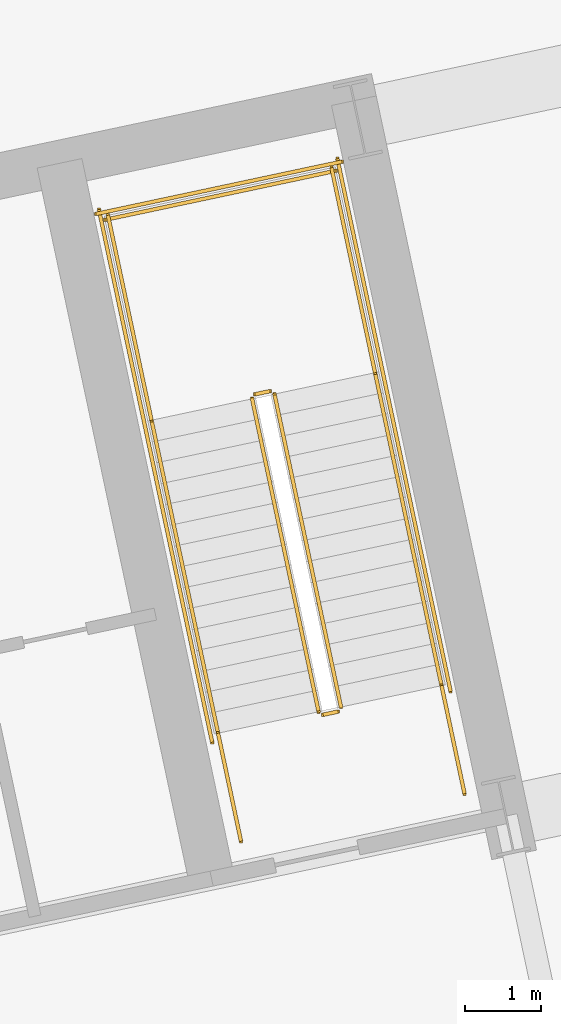
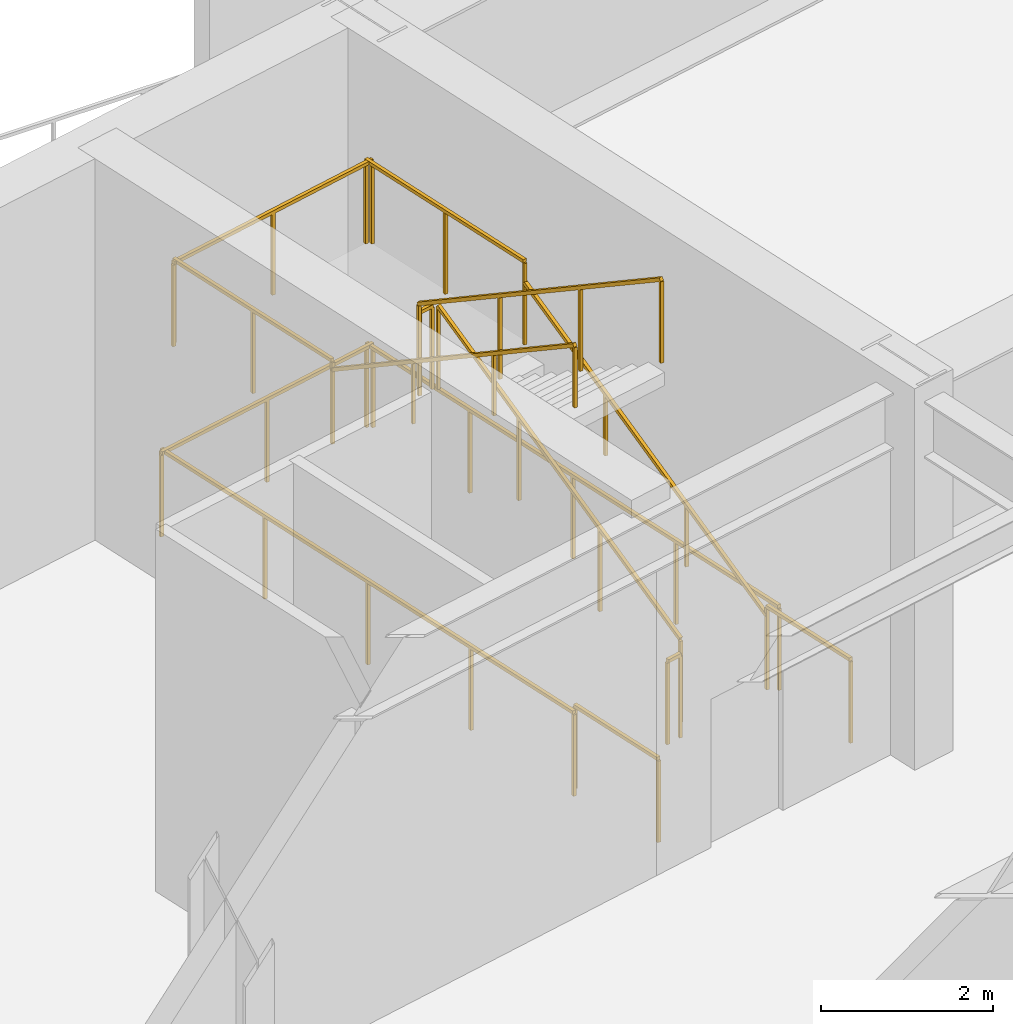
# One storey, part 28 of 29: 14 railings.
"""IFC4 building model written with IfcOpenShell, lengths in metres."""

from ifc_helpers import new_model, si_unit, direction, frame, origin, origin_2d, place, context, subcontext, project, spatial, rectangle, extrude, material, type_object, element, save


model = new_model("IFC4")

# Units and contexts
model_context = context("Model", 3, precision=1e-05, world=origin(), true_north=direction((0.0, 1.0)))
body_context = subcontext(model_context, "Body", "Model", "MODEL_VIEW")
ifc_project = project(units=[si_unit("LENGTHUNIT", "METRE"), si_unit("AREAUNIT", "SQUARE_METRE"), si_unit("VOLUMEUNIT", "CUBIC_METRE"), si_unit("PLANEANGLEUNIT", "RADIAN"), si_unit("MASSUNIT", "GRAM", prefix="KILO")], contexts=[model_context])

# Site, building, storey
site_placement = place(None, origin())
site = spatial("IfcSite", under=ifc_project, at=site_placement, CompositionType="ELEMENT")
building_placement = place(site_placement, origin())
building = spatial("IfcBuilding", under=site, at=building_placement, Name="Haevon Station Towers", CompositionType="ELEMENT")
storey_placement = place(building_placement, frame((0.0, 0.0, 25.199951171875)))
storey = spatial("IfcBuildingStorey", under=building, at=storey_placement, Name="L05", CompositionType="ELEMENT", Elevation=25.199951171875)

# Railings
ifc_material = material(Name="Steel S355", Category="steel")
railing_type_1 = type_object("IfcRailingType", Name="GRD-STR1200", PredefinedType="GUARDRAIL", material=ifc_material)
railing_1_placement = place(storey_placement, frame((117.128662109375, 43.23974609375, 0.168701171875)))
element("IfcRailing", 1, at=railing_1_placement, inside=storey, type_object=railing_type_1, Name="L05 ST4 Stair Guard 1", PredefinedType="GUARDRAIL", context=body_context, shape_type="SweptSolid", body=[
    extrude(rectangle(XDim=0.048095703125, YDim=0.048095703125, at=origin_2d()), frame((0.0, 0.0, 1.17578125), z_axis=(-0.1780862493, 0.837757147603, 0.516186254612), x_axis=(-0.978143927149, -0.207928972925, 0.0)), (0.0, 0.0, 1.0), 4.90380859375),
    extrude(rectangle(XDim=0.0419921875, YDim=0.0419921875, at=origin_2d()), origin(), (0.0, 0.0, 1.0), 1.15185546875),
    extrude(rectangle(XDim=0.0419921875, YDim=0.0419921875, at=origin_2d()), frame((-0.291015625, 1.369384765625, 0.84375)), (0.0, 0.0, 1.0), 1.15185546875),
    extrude(rectangle(XDim=0.0419921875, YDim=0.0419921875, at=origin_2d()), frame((-0.582275390625, 2.73876953125, 1.6875)), (0.0, 0.0, 1.0), 1.15185546875),
    extrude(rectangle(XDim=0.0419921875, YDim=0.0419921875, at=origin_2d()), frame((-0.873291015625, 4.108154296875, 2.53125)), (0.0, 0.0, 1.0), 1.15185546875),
])
railing_2_placement = place(storey_placement, frame((116.196044921875, 47.386474609375, 2.699951171875)))
element("IfcRailing", 2, at=railing_2_placement, inside=storey, type_object=railing_type_1, Name="L05 ST4 Stair Guard 2", PredefinedType="GUARDRAIL", context=body_context, shape_type="SweptSolid", body=[
    extrude(rectangle(XDim=0.048095703125, YDim=0.048095703125, at=origin_2d()), frame((0.0, 0.0, 1.17578125), z_axis=(-0.978211583308, -0.207610448392, 0.0), x_axis=(0.207610448392, -0.978211583308, 0.0)), (0.0, 0.0, 1.0), 0.199951171875),
    extrude(rectangle(XDim=0.0419921875, YDim=0.0419921875, at=origin_2d()), origin(), (0.0, 0.0, 1.0), 1.15185546875),
    extrude(rectangle(XDim=0.0419921875, YDim=0.0419921875, at=origin_2d()), frame((-0.195556640625, -0.04150390625, 0.0)), (0.0, 0.0, 1.0), 1.15185546875),
])
for number, where, name in (
    (3, (117.575927734375, 47.628662109375, 2.699951171875), "L05 ST4 Stair Guard 3"),
    (4, (114.641357421875, 47.0048828125, 2.699951171875), "L05 ST4 Stair Guard 4"),
):
    element("IfcRailing", number, at=place(storey_placement, frame(where)), inside=storey, type_object=railing_type_1, Name=name, PredefinedType="GUARDRAIL", context=body_context, shape_type="SweptSolid", body=[
        extrude(rectangle(XDim=0.048095703125, YDim=0.048095703125, at=origin_2d()), frame((0.0, 0.0, 1.17578125), z_axis=(-0.207916090984, 0.978146665439, 0.0), x_axis=(-0.978146665439, -0.207916090984, 0.0)), (0.0, 0.0, 1.0), 2.75),
        extrude(rectangle(XDim=0.0419921875, YDim=0.0419921875, at=origin_2d()), origin(), (0.0, 0.0, 1.0), 1.15185546875),
        extrude(rectangle(XDim=0.0419921875, YDim=0.0419921875, at=origin_2d()), frame((-0.285888671875, 1.344970703125, 0.0)), (0.0, 0.0, 1.0), 1.15185546875),
        extrude(rectangle(XDim=0.0419921875, YDim=0.0419921875, at=origin_2d()), frame((-0.57177734375, 2.68994140625, 0.0)), (0.0, 0.0, 1.0), 1.15185546875),
    ])
railing_3_placement = place(storey_placement, frame((117.0634765625, 50.280029296875, 2.699951171875)))
element("IfcRailing", 5, at=railing_3_placement, inside=storey, type_object=railing_type_1, Name="L05 ST4 Stair Guard 5", PredefinedType="GUARDRAIL", context=body_context, shape_type="SweptSolid", body=[
    extrude(rectangle(XDim=0.048095703125, YDim=0.048095703125, at=origin_2d()), frame((0.0, 0.0, 1.17578125), z_axis=(-0.978146839882, -0.207915270313, 0.0), x_axis=(0.207915270313, -0.978146839882, 0.0)), (0.0, 0.0, 1.0), 3.099853515625),
    extrude(rectangle(XDim=0.0419921875, YDim=0.0419921875, at=origin_2d()), origin(), (0.0, 0.0, 1.0), 1.15185546875),
    extrude(rectangle(XDim=0.0419921875, YDim=0.0419921875, at=origin_2d()), frame((-1.51611328125, -0.322265625, 0.0)), (0.0, 0.0, 1.0), 1.15185546875),
    extrude(rectangle(XDim=0.0419921875, YDim=0.0419921875, at=origin_2d()), frame((-3.0322265625, -0.64453125, 0.0)), (0.0, 0.0, 1.0), 1.15185546875),
])
railing_4_placement = place(storey_placement, frame((115.9619140625, 47.28564453125, 2.868896484375)))
element("IfcRailing", 6, at=railing_4_placement, inside=storey, type_object=railing_type_1, Name="L05 ST4 Stair Guard 6", PredefinedType="GUARDRAIL", context=body_context, shape_type="SweptSolid", body=[
    extrude(rectangle(XDim=0.048095703125, YDim=0.048095703125, at=origin_2d()), frame((0.0, 0.0, 1.17578125), z_axis=(0.178078821748, -0.83777199116, 0.516164725716), x_axis=(0.978146440129, 0.207917150959, 0.0)), (0.0, 0.0, 1.0), 4.904052734375),
    extrude(rectangle(XDim=0.0419921875, YDim=0.0419921875, at=origin_2d()), origin(), (0.0, 0.0, 1.0), 1.15185546875),
    extrude(rectangle(XDim=0.0419921875, YDim=0.0419921875, at=origin_2d()), frame((0.291015625, -1.369384765625, 0.84375)), (0.0, 0.0, 1.0), 1.15185546875),
    extrude(rectangle(XDim=0.0419921875, YDim=0.0419921875, at=origin_2d()), frame((0.582275390625, -2.739013671875, 1.6875)), (0.0, 0.0, 1.0), 1.15185546875),
    extrude(rectangle(XDim=0.0419921875, YDim=0.0419921875, at=origin_2d()), frame((0.873291015625, -4.1083984375, 2.53125)), (0.0, 0.0, 1.0), 1.15185546875),
])
railing_5_placement = place(storey_placement, frame((117.090087890625, 43.180419921875, 0.0)))
element("IfcRailing", 7, at=railing_5_placement, inside=storey, type_object=railing_type_1, Name="L05 ST4 Stair Guard 7", PredefinedType="GUARDRAIL", context=body_context, shape_type="SweptSolid", body=[
    extrude(rectangle(XDim=0.048095703125, YDim=0.048095703125, at=origin_2d()), frame((0.0, 0.0, 1.17578125), z_axis=(-0.978211583308, -0.207610448392, 0.0), x_axis=(0.207610448392, -0.978211583308, 0.0)), (0.0, 0.0, 1.0), 0.199951171875),
    extrude(rectangle(XDim=0.0419921875, YDim=0.0419921875, at=origin_2d()), origin(), (0.0, 0.0, 1.0), 1.15185546875),
    extrude(rectangle(XDim=0.0419921875, YDim=0.0419921875, at=origin_2d()), frame((-0.195556640625, -0.04150390625, 0.0)), (0.0, 0.0, 1.0), 1.15185546875),
])
for number, where, name in (
    (8, (118.75048828125, 42.10205078125, 0.0), "L05 ST4 Stair Guard 8"),
    (9, (115.816162109375, 41.478271484375, 0.0), "L05 ST4 Stair Guard 9"),
):
    element("IfcRailing", number, at=place(storey_placement, frame(where)), inside=storey, type_object=railing_type_1, Name=name, PredefinedType="GUARDRAIL", context=body_context, shape_type="SweptSolid", body=[
        extrude(rectangle(XDim=0.048095703125, YDim=0.048095703125, at=origin_2d()), frame((0.0, 0.0, 1.17578125), z_axis=(-0.207919161079, 0.978146012851, 0.0), x_axis=(-0.978146012851, -0.207919161079, 0.0)), (0.0, 0.0, 1.0), 1.4501953125),
        extrude(rectangle(XDim=0.0419921875, YDim=0.0419921875, at=origin_2d()), origin(), (0.0, 0.0, 1.0), 1.15185546875),
        extrude(rectangle(XDim=0.0419921875, YDim=0.0419921875, at=origin_2d()), frame((-0.301513671875, 1.41845703125, 0.0)), (0.0, 0.0, 1.0), 1.15185546875),
    ])
railing_6_placement = place(storey_placement, frame((118.567626953125, 43.443359375, 0.0)))
element("IfcRailing", 10, at=railing_6_placement, inside=storey, type_object=railing_type_1, Name="L05 ST4 Stair Guard 10", PredefinedType="GUARDRAIL", context=body_context, shape_type="SweptSolid", body=[
    extrude(rectangle(XDim=0.048095703125, YDim=0.048095703125, at=origin_2d()), frame((0.0, 0.0, 1.17578125), z_axis=(-0.207908168386, 0.978148349443, 0.0), x_axis=(-0.978148349443, -0.207908168386, 0.0)), (0.0, 0.0, 1.0), 7.150146484375),
    extrude(rectangle(XDim=0.0419921875, YDim=0.0419921875, at=origin_2d()), origin(), (0.0, 0.0, 1.0), 1.15185546875),
    extrude(rectangle(XDim=0.0419921875, YDim=0.0419921875, at=origin_2d()), frame((-0.37158203125, 1.74853515625, 0.0)), (0.0, 0.0, 1.0), 1.15185546875),
    extrude(rectangle(XDim=0.0419921875, YDim=0.0419921875, at=origin_2d()), frame((-0.7431640625, 3.4970703125, 0.0)), (0.0, 0.0, 1.0), 1.15185546875),
    extrude(rectangle(XDim=0.0419921875, YDim=0.0419921875, at=origin_2d()), frame((-1.114990234375, 5.245361328125, 0.0)), (0.0, 0.0, 1.0), 1.15185546875),
    extrude(rectangle(XDim=0.0419921875, YDim=0.0419921875, at=origin_2d()), frame((-1.486572265625, 6.993896484375, 0.0)), (0.0, 0.0, 1.0), 1.15185546875),
])
railing_7_placement = place(storey_placement, frame((115.4375, 42.778076171875, 0.0)))
element("IfcRailing", 11, at=railing_7_placement, inside=storey, type_object=railing_type_1, Name="L05 ST4 Stair Guard 11", PredefinedType="GUARDRAIL", context=body_context, shape_type="SweptSolid", body=[
    extrude(rectangle(XDim=0.048095703125, YDim=0.048095703125, at=origin_2d()), frame((0.0, 0.0, 1.17578125), z_axis=(-0.207882442208, 0.978153817261, 0.0), x_axis=(-0.978153817261, -0.207882442208, 0.0)), (0.0, 0.0, 1.0), 7.14990234375),
    extrude(rectangle(XDim=0.0419921875, YDim=0.0419921875, at=origin_2d()), origin(), (0.0, 0.0, 1.0), 1.15185546875),
    extrude(rectangle(XDim=0.0419921875, YDim=0.0419921875, at=origin_2d()), frame((-0.37158203125, 1.74853515625, 0.0)), (0.0, 0.0, 1.0), 1.15185546875),
    extrude(rectangle(XDim=0.0419921875, YDim=0.0419921875, at=origin_2d()), frame((-0.7431640625, 3.496826171875, 0.0)), (0.0, 0.0, 1.0), 1.15185546875),
    extrude(rectangle(XDim=0.0419921875, YDim=0.0419921875, at=origin_2d()), frame((-1.11474609375, 5.2451171875, 0.0)), (0.0, 0.0, 1.0), 1.15185546875),
    extrude(rectangle(XDim=0.0419921875, YDim=0.0419921875, at=origin_2d()), frame((-1.486328125, 6.99365234375, 0.0)), (0.0, 0.0, 1.0), 1.15185546875),
])
railing_8_placement = place(storey_placement, frame((117.140380859375, 50.398681640625, 0.0)))
element("IfcRailing", 12, at=railing_8_placement, inside=storey, type_object=railing_type_1, Name="L05 ST4 Stair Guard 12", PredefinedType="GUARDRAIL", context=body_context, shape_type="SweptSolid", body=[
    extrude(rectangle(XDim=0.048095703125, YDim=0.048095703125, at=origin_2d()), frame((0.0, 0.0, 1.17578125), z_axis=(-0.978135717418, -0.207967589567, 0.0), x_axis=(0.207967589567, -0.978135717418, 0.0)), (0.0, 0.0, 1.0), 3.300048828125),
    extrude(rectangle(XDim=0.0419921875, YDim=0.0419921875, at=origin_2d()), origin(), (0.0, 0.0, 1.0), 1.15185546875),
    extrude(rectangle(XDim=0.0419921875, YDim=0.0419921875, at=origin_2d()), frame((-1.61376953125, -0.34326171875, 0.0)), (0.0, 0.0, 1.0), 1.15185546875),
    extrude(rectangle(XDim=0.0419921875, YDim=0.0419921875, at=origin_2d()), frame((-3.227783203125, -0.686279296875, 0.0)), (0.0, 0.0, 1.0), 1.15185546875),
])
railing_type_2 = type_object("IfcRailingType", Name="HND-STR900", PredefinedType="HANDRAIL", material=ifc_material)
railing_9_placement = place(storey_placement, frame((118.448974609375, 43.5205078125, 0.168701171875)))
element("IfcRailing", 13, at=railing_9_placement, inside=storey, type_object=railing_type_2, Name="L05 ST4 Stair Handrail 1", PredefinedType="HANDRAIL", context=body_context, shape_type="SweptSolid", body=[
    extrude(rectangle(XDim=0.048095703125, YDim=0.048095703125, at=origin_2d()), frame((0.0, 0.0, 0.8759765625), z_axis=(-0.17803804114, 0.83776457446, 0.516190830689), x_axis=(-0.978155748334, -0.207873355681, 0.0)), (0.0, 0.0, 1.0), 4.90380859375),
    extrude(rectangle(XDim=0.0419921875, YDim=0.0419921875, at=origin_2d()), origin(), (0.0, 0.0, 1.0), 0.851806640625),
    extrude(rectangle(XDim=0.0419921875, YDim=0.0419921875, at=origin_2d()), frame((-0.291015625, 1.369384765625, 0.84375)), (0.0, 0.0, 1.0), 0.851806640625),
    extrude(rectangle(XDim=0.0419921875, YDim=0.0419921875, at=origin_2d()), frame((-0.58203125, 2.73876953125, 1.6875)), (0.0, 0.0, 1.0), 0.851806640625),
    extrude(rectangle(XDim=0.0419921875, YDim=0.0419921875, at=origin_2d()), frame((-0.873046875, 4.108154296875, 2.53125)), (0.0, 0.0, 1.0), 0.851806640625),
])
railing_10_placement = place(storey_placement, frame((114.641357421875, 47.0048828125, 2.868896484375)))
element("IfcRailing", 14, at=railing_10_placement, inside=storey, type_object=railing_type_2, Name="L05 ST4 Stair Handrail 2", PredefinedType="HANDRAIL", context=body_context, shape_type="SweptSolid", body=[
    extrude(rectangle(XDim=0.048095703125, YDim=0.048095703125, at=origin_2d()), frame((0.0, 0.0, 0.8759765625), z_axis=(0.1780862493, -0.837757147603, 0.516186254612), x_axis=(0.978143927149, 0.207928972925, 0.0)), (0.0, 0.0, 1.0), 4.90380859375),
    extrude(rectangle(XDim=0.0419921875, YDim=0.0419921875, at=origin_2d()), origin(), (0.0, 0.0, 1.0), 0.851806640625),
    extrude(rectangle(XDim=0.0419921875, YDim=0.0419921875, at=origin_2d()), frame((0.291015625, -1.369384765625, 0.84375)), (0.0, 0.0, 1.0), 0.851806640625),
    extrude(rectangle(XDim=0.0419921875, YDim=0.0419921875, at=origin_2d()), frame((0.582275390625, -2.73876953125, 1.6875)), (0.0, 0.0, 1.0), 0.851806640625),
    extrude(rectangle(XDim=0.0419921875, YDim=0.0419921875, at=origin_2d()), frame((0.873291015625, -4.108154296875, 2.53125)), (0.0, 0.0, 1.0), 0.851806640625),
])

save(model, "model.ifc")
